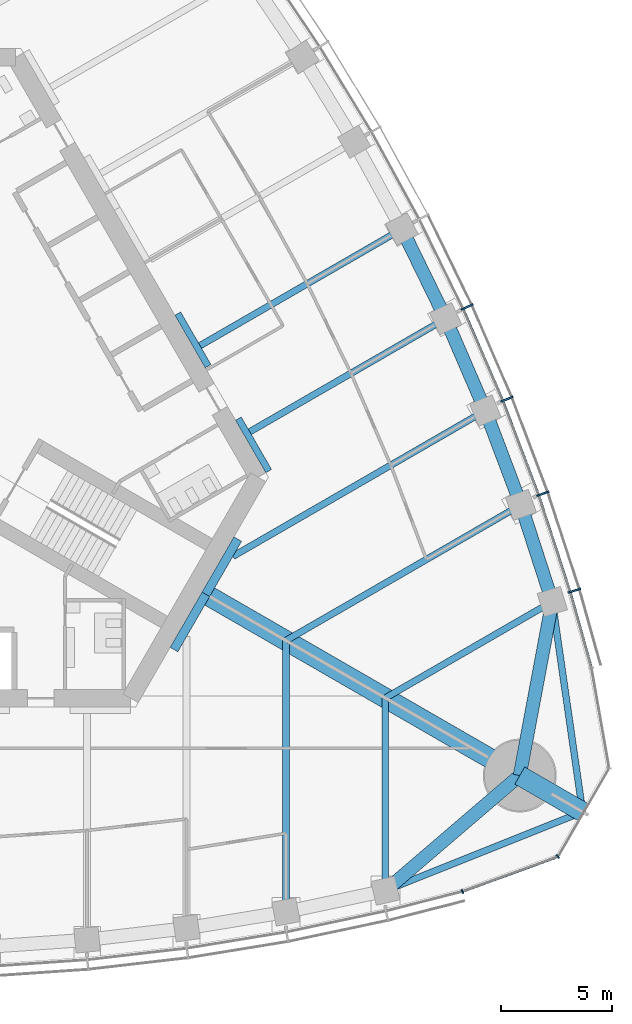
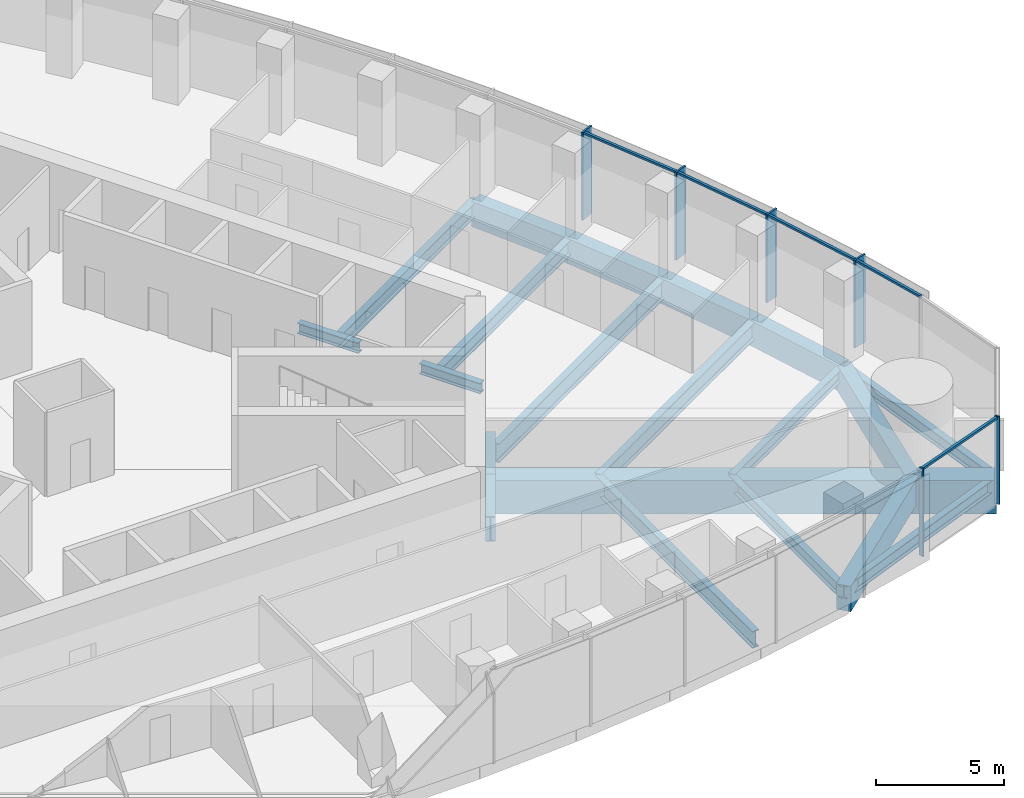
# One storey, part 4 of 20: 21 beams, 11 members, 2 elements without a shape of their own.
"""IFC4 building model written with IfcOpenShell, lengths in metres."""

from ifc_helpers import new_model, si_unit, direction, frame, origin, origin_2d, place, context, subcontext, project, spatial, rectangle, i_section, extrude, material, material_profile, profile_set, type_object, element, aggregate, save


model = new_model("IFC4")

# Units and contexts
model_context = context("Model", 3, precision=1e-05, world=origin(), true_north=direction((0.0, 1.0)))
body_context = subcontext(model_context, "Body", "Model", "MODEL_VIEW")
ifc_project = project(units=[si_unit("LENGTHUNIT", "METRE"), si_unit("AREAUNIT", "SQUARE_METRE"), si_unit("VOLUMEUNIT", "CUBIC_METRE"), si_unit("PLANEANGLEUNIT", "RADIAN"), si_unit("MASSUNIT", "GRAM", prefix="KILO")], contexts=[model_context])

# Site, building, storey
site_placement = place(None, origin())
site = spatial("IfcSite", under=ifc_project, at=site_placement, CompositionType="ELEMENT")
building_placement = place(site_placement, origin())
building = spatial("IfcBuilding", under=site, at=building_placement, Name="Trefoil Bronze Tower", CompositionType="ELEMENT")
storey_placement = place(building_placement, frame((0.0, 0.0, 214.89990234375)))
storey = spatial("IfcBuildingStorey", under=building, at=storey_placement, Name="L49", CompositionType="ELEMENT", Elevation=214.89990234375)

# Curtain wall, members
ifc_material_1 = material(Name="Tinted solar-control glass", Category="glass")
curtain_wall_type_1 = type_object("IfcCurtainWallType", Name="Bronze office curtain wall", PredefinedType="USERDEFINED", material=ifc_material_1)
curtain_wall_1_placement = place(storey_placement, origin())
curtain_wall_1 = element("IfcCurtainWall", 1, at=curtain_wall_1_placement, inside=storey, type_object=curtain_wall_type_1, Name="CW-A L49 F2", ObjectType="CURTAIN WALL", PredefinedType="USERDEFINED")
ifc_material_2 = material(Name="Bronze-finish aluminium", Category="aluminium")
ifc_material_profile_1 = material_profile(ifc_material_2, rectangle(XDim=0.60009765625, YDim=0.080078125, at=origin_2d()), Name="CW-A mullion")
ifc_profile_set_1 = profile_set([ifc_material_profile_1], Name="Bronze-finish aluminium")
member_type_1 = type_object("IfcMemberType", Name="Bronze office curtain wall mullion", PredefinedType="MULLION", material=ifc_profile_set_1)
member_1_placement = place(storey_placement, frame((31.05029296875, -8.132568359375, 0.0), z_axis=(0.0, 0.0, 1.0), x_axis=(-0.95694224323, -0.290278389002, 0.0)))
member_1 = element("IfcMember", 2, at=member_1_placement, type_object=member_type_1, Name="CW-A L49 F2 mullion 2", PredefinedType="MULLION", context=body_context, shape_type="SweptSolid", body=[
    extrude(rectangle(XDim=0.60009765625, YDim=0.080078125, at=origin_2d()), origin(), (0.0, 0.0, 1.0), 4.18017578125),
])
member_2_placement = place(storey_placement, frame((29.619873046875, -3.747314453125, 0.0), z_axis=(0.0, 0.0, 1.0), x_axis=(-0.943180077746, -0.332282020191, 0.0)))
member_2 = element("IfcMember", 3, at=member_2_placement, type_object=member_type_1, Name="CW-A L49 F2 mullion 3", PredefinedType="MULLION", context=body_context, shape_type="SweptSolid", body=[
    extrude(rectangle(XDim=0.60009765625, YDim=0.080078125, at=origin_2d()), origin(), (0.0, 0.0, 1.0), 4.18017578125),
])
member_3_placement = place(storey_placement, frame((27.999755859375, 0.529541015625, 0.0), z_axis=(0.0, 0.0, 1.0), x_axis=(-0.926689348282, -0.375828221106, 0.0)))
member_3 = element("IfcMember", 4, at=member_3_placement, type_object=member_type_1, Name="CW-A L49 F2 mullion 4", PredefinedType="MULLION", context=body_context, shape_type="SweptSolid", body=[
    extrude(rectangle(XDim=0.60009765625, YDim=0.080078125, at=origin_2d()), origin(), (0.0, 0.0, 1.0), 4.18017578125),
])
member_4_placement = place(storey_placement, frame((26.19482421875, 4.699462890625, 0.0), z_axis=(0.0, 0.0, 1.0), x_axis=(-0.908315380354, -0.418285990457, 0.0)))
member_4 = element("IfcMember", 5, at=member_4_placement, type_object=member_type_1, Name="CW-A L49 F2 mullion 5", PredefinedType="MULLION", context=body_context, shape_type="SweptSolid", body=[
    extrude(rectangle(XDim=0.60009765625, YDim=0.080078125, at=origin_2d()), origin(), (0.0, 0.0, 1.0), 4.18017578125),
])
ifc_material_3 = material(Name="Bronze-finish aluminium", Category="aluminium")
ifc_material_profile_2 = material_profile(ifc_material_3, rectangle(XDim=0.1201171875, YDim=0.10009765625, at=origin_2d()), Name="CW-A transom")
ifc_profile_set_2 = profile_set([ifc_material_profile_2], Name="Bronze-finish aluminium")
member_type_2 = type_object("IfcMemberType", Name="Bronze office curtain wall transom", PredefinedType="USERDEFINED", material=ifc_profile_set_2)
member_5_placement = place(storey_placement, frame((31.81201171875, -11.585205078125, 4.130126953125), z_axis=(-0.270284880437, 0.962780392097, 0.0), x_axis=(-0.962780392097, -0.270284880437, 0.0)))
member_5 = element("IfcMember", 6, at=member_5_placement, type_object=member_type_2, Name="CW-A L49 F2 transom 1", ObjectType="TRANSOM", PredefinedType="USERDEFINED", context=body_context, shape_type="SweptSolid", body=[
    extrude(rectangle(XDim=0.1201171875, YDim=0.10009765625, at=origin_2d()), origin(), (0.0, 0.0, 1.0), 3.48388671875),
])
member_6_placement = place(storey_placement, frame((30.845947265625, -8.150634765625, 4.130126953125), z_axis=(-0.310127806788, 0.950694874004, 0.0), x_axis=(-0.950694874004, -0.310127806788, 0.0)))
member_6 = element("IfcMember", 7, at=member_6_placement, type_object=member_type_2, Name="CW-A L49 F2 transom 2", ObjectType="TRANSOM", PredefinedType="USERDEFINED", context=body_context, shape_type="SweptSolid", body=[
    extrude(rectangle(XDim=0.1201171875, YDim=0.10009765625, at=origin_2d()), origin(), (0.0, 0.0, 1.0), 4.51953125),
])
member_7_placement = place(storey_placement, frame((29.416259765625, -3.774169921875, 4.130126953125), z_axis=(-0.354263170896, 0.935145767112, 0.0), x_axis=(-0.935145767112, -0.354263170896, 0.0)))
member_7 = element("IfcMember", 8, at=member_7_placement, type_object=member_type_2, Name="CW-A L49 F2 transom 3", ObjectType="TRANSOM", PredefinedType="USERDEFINED", context=body_context, shape_type="SweptSolid", body=[
    extrude(rectangle(XDim=0.1201171875, YDim=0.10009765625, at=origin_2d()), origin(), (0.0, 0.0, 1.0), 4.4794921875),
])
member_8_placement = place(storey_placement, frame((27.797607421875, 0.4931640625, 4.130126953125), z_axis=(-0.397220936772, 0.917723012346, 0.0), x_axis=(-0.917723012346, -0.397220936772, 0.0)))
member_8 = element("IfcMember", 9, at=member_8_placement, type_object=member_type_2, Name="CW-A L49 F2 transom 4", ObjectType="TRANSOM", PredefinedType="USERDEFINED", context=body_context, shape_type="SweptSolid", body=[
    extrude(rectangle(XDim=0.1201171875, YDim=0.10009765625, at=origin_2d()), origin(), (0.0, 0.0, 1.0), 4.449951171875),
])
aggregate(curtain_wall_1, [member_1, member_2, member_3, member_4, member_5, member_6, member_7, member_8])

ifc_material_4 = material(Name="Tinted solar-control glass", Category="glass")
curtain_wall_type_2 = type_object("IfcCurtainWallType", Name="Bronze rounded corner curtain wall", PredefinedType="USERDEFINED", material=ifc_material_4)
curtain_wall_2_placement = place(storey_placement, origin())
curtain_wall_2 = element("IfcCurtainWall", 10, at=curtain_wall_2_placement, inside=storey, type_object=curtain_wall_type_2, Name="CW-B L49 K1", ObjectType="CURTAIN WALL", PredefinedType="USERDEFINED")
ifc_material_5 = material(Name="Bronze-finish aluminium", Category="aluminium")
ifc_material_profile_3 = material_profile(ifc_material_5, rectangle(XDim=0.199951171875, YDim=0.06005859375, at=origin_2d()), Name="CW-B mullion")
ifc_profile_set_3 = profile_set([ifc_material_profile_3], Name="Bronze-finish aluminium")
member_type_3 = type_object("IfcMemberType", Name="Bronze rounded corner curtain wall mullion", PredefinedType="MULLION", material=ifc_profile_set_3)
member_9_placement = place(storey_placement, frame((25.9873046875, -21.74462890625, 0.0), z_axis=(0.0, 0.0, 1.0), x_axis=(-0.342020143326, 0.939692620786, 0.0)))
member_9 = element("IfcMember", 11, at=member_9_placement, type_object=member_type_3, Name="CW-B L49 K1 mullion 1", PredefinedType="MULLION", context=body_context, shape_type="SweptSolid", body=[
    extrude(rectangle(XDim=0.199951171875, YDim=0.06005859375, at=origin_2d()), origin(), (0.0, 0.0, 1.0), 4.18017578125),
])
member_10_placement = place(storey_placement, frame((30.302490234375, -20.16748046875, 0.0), z_axis=(0.0, 0.0, 1.0), x_axis=(-0.642787609687, 0.766044443119, 0.0)))
member_10 = element("IfcMember", 12, at=member_10_placement, type_object=member_type_3, Name="CW-B L49 K1 mullion 2", PredefinedType="MULLION", context=body_context, shape_type="SweptSolid", body=[
    extrude(rectangle(XDim=0.199951171875, YDim=0.06005859375, at=origin_2d()), origin(), (0.0, 0.0, 1.0), 4.18017578125),
])
ifc_material_6 = material(Name="Bronze-finish aluminium", Category="aluminium")
ifc_material_profile_4 = material_profile(ifc_material_6, rectangle(XDim=0.1201171875, YDim=0.10009765625, at=origin_2d()), Name="CW-B transom")
ifc_profile_set_4 = profile_set([ifc_material_profile_4], Name="Bronze-finish aluminium")
member_type_4 = type_object("IfcMemberType", Name="Bronze rounded corner curtain wall transom", PredefinedType="USERDEFINED", material=ifc_profile_set_4)
member_11_placement = place(storey_placement, frame((26.015380859375, -21.734375, 4.130126953125), z_axis=(0.939680910753, 0.342052314664, 0.0), x_axis=(-0.342052314664, 0.939680910753, 0.0)))
member_11 = element("IfcMember", 13, at=member_11_placement, type_object=member_type_4, Name="CW-B L49 K1 transom 1", ObjectType="TRANSOM", PredefinedType="USERDEFINED", context=body_context, shape_type="SweptSolid", body=[
    extrude(rectangle(XDim=0.1201171875, YDim=0.10009765625, at=origin_2d()), origin(), (0.0, 0.0, 1.0), 4.500244140625),
])
aggregate(curtain_wall_2, [member_9, member_10, member_11])

# Beams
ifc_material_7 = material(Name="Steel C355", Category="steel")
ifc_material_profile_5 = material_profile(ifc_material_7, i_section(OverallWidth=0.300048828125, OverallDepth=0.5, WebThickness=0.014404296875, FlangeThickness=0.028076171875, FilletRadius=0.027099609375, at=origin_2d()), Name="HEB 500")
ifc_profile_set_5 = profile_set([ifc_material_profile_5], Name="Steel C355")
beam_type_1 = type_object("IfcBeamType", Name="Core seat beam HEB 500", PredefinedType="BEAM", material=ifc_profile_set_5)
for number, where, z_axis, x_axis, name in (
    (14, (17.219482421875, -2.72509765625, -0.449951171875), (-0.500035825175, 0.866004719122, 0.0), (-0.866004719122, -0.500035825175, 0.0), "Core seat beam F2/-2 L49"),
    (15, (14.47705078125, 2.02490234375, -0.449951171875), (-0.499969057507, 0.866043267704, 0.0), (-0.866043267704, -0.499969057507, 0.0), "Core seat beam F2/-1 L49"),
):
    element("IfcBeam", number, at=place(storey_placement, frame(where, z_axis=z_axis, x_axis=x_axis)), inside=storey, type_object=beam_type_1, Name=name, PredefinedType="BEAM", context=body_context, shape_type="SweptSolid", body=[
        extrude(i_section(OverallWidth=0.300048828125, OverallDepth=0.5, WebThickness=0.014404296875, FlangeThickness=0.028076171875, FilletRadius=0.027099609375, at=origin_2d()), origin(), (0.0, 0.0, 1.0), 2.742431640625),
    ])
ifc_material_8 = material(Name="Steel C355", Category="steel")
ifc_material_profile_6 = material_profile(ifc_material_8, i_section(OverallWidth=0.39990234375, OverallDepth=1.199951171875, WebThickness=0.02001953125, FlangeThickness=0.0400390625, FilletRadius=0.010009765625, at=origin_2d()), Name="WPG 1200")
ifc_profile_set_6 = profile_set([ifc_material_profile_6], Name="Steel C355")
beam_type_2 = type_object("IfcBeamType", Name="Core seat beam WPG 1200", PredefinedType="BEAM", material=ifc_profile_set_6)
for number, where, z_axis, x_axis, name in (
    (16, (12.9326171875, -10.800048828125, -0.7998046875), (0.499995765644, 0.866027848477, 0.0), (-0.866027848477, 0.499995765644, 0.0), "Core seat beam F1/+3 L49"),
    (17, (14.3759765625, -8.300048828125, -0.7998046875), (0.499995765644, 0.866027848477, 0.0), (-0.866027848477, 0.499995765644, 0.0), "Core seat beam F2/-3 L49"),
):
    element("IfcBeam", number, at=place(storey_placement, frame(where, z_axis=z_axis, x_axis=x_axis)), inside=storey, type_object=beam_type_2, Name=name, PredefinedType="BEAM", context=body_context, shape_type="SweptSolid", body=[
        extrude(i_section(OverallWidth=0.39990234375, OverallDepth=1.199951171875, WebThickness=0.02001953125, FlangeThickness=0.0400390625, FilletRadius=0.010009765625, at=origin_2d()), origin(), (0.0, 0.0, 1.0), 2.88671875),
    ])
ifc_material_9 = material(Name="Concrete B80", Category="concrete")
ifc_material_profile_7 = material_profile(ifc_material_9, rectangle(XDim=0.89990234375, YDim=1.60009765625, at=origin_2d()), Name="RC 900x1600")
ifc_profile_set_7 = profile_set([ifc_material_profile_7], Name="Concrete B80")
beam_type_3 = type_object("IfcBeamType", Name="Corner cantilever RC 900x1600", PredefinedType="BEAM", material=ifc_profile_set_7)
beam_1_placement = place(storey_placement, frame((28.578857421875, -16.5, -1.0), z_axis=(0.866016004958, -0.500016278891, 0.0), x_axis=(0.500016278891, 0.866016004958, 0.0)))
element("IfcBeam", 18, at=beam_1_placement, inside=storey, type_object=beam_type_3, Name="Corner cantilever K1 L49", PredefinedType="BEAM", context=body_context, shape_type="SweptSolid", body=[
    extrude(rectangle(XDim=0.89990234375, YDim=1.60009765625, at=origin_2d()), origin(), (0.0, 0.0, 1.0), 3.28466796875),
])
ifc_material_10 = material(Name="Steel C355", Category="steel")
ifc_material_profile_8 = material_profile(ifc_material_10, i_section(OverallWidth=0.300048828125, OverallDepth=0.60009765625, WebThickness=0.015380859375, FlangeThickness=0.030029296875, FilletRadius=0.027099609375, at=origin_2d()), Name="HEB 600")
ifc_profile_set_8 = profile_set([ifc_material_profile_8], Name="Steel C355")
beam_type_4 = type_object("IfcBeamType", Name="Corner edge beam HEB 600", PredefinedType="BEAM", material=ifc_profile_set_8)
for number, where, z_axis, x_axis, name in (
    (19, (22.5, -21.71044921875, -0.5), (0.92852048463, 0.371281173266, 0.0), (-0.371281173266, 0.92852048463, 0.0), "Corner edge beam F1A L49"),
    (20, (30.052001953125, -8.63037109375, -0.5), (0.142694489722, -0.989766781925, 0.0), (0.989766781925, 0.142694489722, 0.0), "Corner edge beam F2B L49"),
):
    element("IfcBeam", number, at=place(storey_placement, frame(where, z_axis=z_axis, x_axis=x_axis)), inside=storey, type_object=beam_type_4, Name=name, PredefinedType="BEAM", context=body_context, shape_type="SweptSolid", body=[
        extrude(i_section(OverallWidth=0.300048828125, OverallDepth=0.60009765625, WebThickness=0.015380859375, FlangeThickness=0.030029296875, FilletRadius=0.027099609375, at=origin_2d()), origin(), (0.0, 0.0, 1.0), 9.6103515625),
    ])
ifc_material_11 = material(Name="Concrete B80", Category="concrete")
ifc_material_profile_9 = material_profile(ifc_material_11, rectangle(XDim=0.89990234375, YDim=1.60009765625, at=origin_2d()), Name="RC 900x1600")
ifc_profile_set_9 = profile_set([ifc_material_profile_9], Name="Concrete B80")
beam_type_5 = type_object("IfcBeamType", Name="Corner girder RC 900x1600", PredefinedType="BEAM", material=ifc_profile_set_9)
beam_2_placement = place(storey_placement, frame((14.202880859375, -8.199951171875, -1.0), z_axis=(0.866023450265, -0.500003383579, 0.0), x_axis=(0.500003383579, 0.866023450265, 0.0)))
element("IfcBeam", 21, at=beam_2_placement, inside=storey, type_object=beam_type_5, Name="Corner girder K1 L49", PredefinedType="BEAM", context=body_context, shape_type="SweptSolid", body=[
    extrude(rectangle(XDim=0.89990234375, YDim=1.60009765625, at=origin_2d()), origin(), (0.0, 0.0, 1.0), 16.60009765625),
])
ifc_material_12 = material(Name="Concrete B80", Category="concrete")
ifc_material_profile_10 = material_profile(ifc_material_12, rectangle(XDim=0.60009765625, YDim=1.199951171875, at=origin_2d()), Name="RC 600x1200")
ifc_profile_set_10 = profile_set([ifc_material_profile_10], Name="Concrete B80")
beam_type_6 = type_object("IfcBeamType", Name="End spandrel beam RC 600x1200", PredefinedType="SPANDREL", material=ifc_profile_set_10)
for number, where, z_axis, x_axis, name in (
    (22, (22.5, -21.71044921875, -0.7998046875), (0.759256602365, 0.650791373456, 0.0), (-0.650791373456, 0.759256602365, 0.0), "Spandrel F1.12 L49"),
    (23, (28.578857421875, -16.5, -0.7998046875), (0.18399763073, 0.982926686933, 0.0), (-0.982926686933, 0.18399763073, 0.0), "Spandrel F2.1 L49"),
):
    element("IfcBeam", number, at=place(storey_placement, frame(where, z_axis=z_axis, x_axis=x_axis)), inside=storey, type_object=beam_type_6, Name=name, PredefinedType="SPANDREL", context=body_context, shape_type="SweptSolid", body=[
        extrude(rectangle(XDim=0.60009765625, YDim=1.199951171875, at=origin_2d()), origin(), (0.0, 0.0, 1.0), 8.00634765625),
    ])
ifc_material_13 = material(Name="Steel C355", Category="steel")
ifc_material_profile_11 = material_profile(ifc_material_13, i_section(OverallWidth=0.300048828125, OverallDepth=0.590087890625, WebThickness=0.012939453125, FlangeThickness=0.02490234375, FilletRadius=0.027099609375, at=origin_2d()), Name="HEA 600")
ifc_profile_set_11 = profile_set([ifc_material_profile_11], Name="Steel C355")
beam_type_7 = type_object("IfcBeamType", Name="Floor beam HEA 600", PredefinedType="BEAM", material=ifc_profile_set_11)
beam_3_placement = place(storey_placement, frame((22.5, -21.71044921875, -0.494873046875), z_axis=(0.0, 1.0, 0.0), x_axis=(-1.0, 0.0, 0.0)))
element("IfcBeam", 24, at=beam_3_placement, inside=storey, type_object=beam_type_7, Name="Floor beam F1/+5 L49", PredefinedType="BEAM", context=body_context, shape_type="SweptSolid", body=[
    extrude(i_section(OverallWidth=0.300048828125, OverallDepth=0.590087890625, WebThickness=0.012939453125, FlangeThickness=0.02490234375, FilletRadius=0.027099609375, at=origin_2d()), origin(), (0.0, 0.0, 1.0), 8.719970703125),
])
beam_4_placement = place(storey_placement, frame((30.052001953125, -8.63037109375, -0.494873046875), z_axis=(-0.866027535932, -0.499996306993, 0.0), x_axis=(0.499996306993, -0.866027535932, 0.0)))
element("IfcBeam", 25, at=beam_4_placement, inside=storey, type_object=beam_type_7, Name="Floor beam F2/-5 L49", PredefinedType="BEAM", context=body_context, shape_type="SweptSolid", body=[
    extrude(i_section(OverallWidth=0.300048828125, OverallDepth=0.590087890625, WebThickness=0.012939453125, FlangeThickness=0.02490234375, FilletRadius=0.027099609375, at=origin_2d()), origin(), (0.0, 0.0, 1.0), 8.72021484375),
])
ifc_material_14 = material(Name="Steel C355", Category="steel")
ifc_material_profile_12 = material_profile(ifc_material_14, i_section(OverallWidth=0.300048828125, OverallDepth=0.699951171875, WebThickness=0.01708984375, FlangeThickness=0.031982421875, FilletRadius=0.027099609375, at=origin_2d()), Name="HEB 700")
ifc_profile_set_12 = profile_set([ifc_material_profile_12], Name="Steel C355")
beam_type_8 = type_object("IfcBeamType", Name="Floor beam HEB 700", PredefinedType="BEAM", material=ifc_profile_set_12)
beam_5_placement = place(storey_placement, frame((25.2265625, 4.17236328125, -0.5498046875), z_axis=(-0.866017525653, -0.500013645076, 0.0), x_axis=(0.500013645076, -0.866017525653, 0.0)))
element("IfcBeam", 26, at=beam_5_placement, inside=storey, type_object=beam_type_8, Name="Floor beam F2/-2 L49", PredefinedType="BEAM", context=body_context, shape_type="SweptSolid", body=[
    extrude(i_section(OverallWidth=0.300048828125, OverallDepth=0.699951171875, WebThickness=0.01708984375, FlangeThickness=0.031982421875, FilletRadius=0.027099609375, at=origin_2d()), origin(), (0.0, 0.0, 1.0), 10.233154296875),
])
beam_6_placement = place(storey_placement, frame((23.248046875, 8.22607421875, -0.5498046875), z_axis=(-0.866027918957, -0.499995643569, 0.0), x_axis=(0.499995643569, -0.866027918957, 0.0)))
element("IfcBeam", 27, at=beam_6_placement, inside=storey, type_object=beam_type_8, Name="Floor beam F2/-1 L49", PredefinedType="BEAM", context=body_context, shape_type="SweptSolid", body=[
    extrude(i_section(OverallWidth=0.300048828125, OverallDepth=0.699951171875, WebThickness=0.01708984375, FlangeThickness=0.031982421875, FilletRadius=0.027099609375, at=origin_2d()), origin(), (0.0, 0.0, 1.0), 10.54638671875),
])
ifc_material_15 = material(Name="Steel C355", Category="steel")
ifc_material_profile_13 = material_profile(ifc_material_15, i_section(OverallWidth=0.300048828125, OverallDepth=0.800048828125, WebThickness=0.017578125, FlangeThickness=0.032958984375, FilletRadius=0.030029296875, at=origin_2d()), Name="HEB 800")
ifc_profile_set_13 = profile_set([ifc_material_profile_13], Name="Steel C355")
beam_type_9 = type_object("IfcBeamType", Name="Floor beam HEB 800", PredefinedType="BEAM", material=ifc_profile_set_13)
beam_7_placement = place(storey_placement, frame((18.0, -22.6689453125, -0.599853515625), z_axis=(0.0, 1.0, 0.0), x_axis=(-1.0, 0.0, 0.0)))
element("IfcBeam", 28, at=beam_7_placement, inside=storey, type_object=beam_type_9, Name="Floor beam F1/+4 L49", PredefinedType="BEAM", context=body_context, shape_type="SweptSolid", body=[
    extrude(i_section(OverallWidth=0.300048828125, OverallDepth=0.800048828125, WebThickness=0.017578125, FlangeThickness=0.032958984375, FilletRadius=0.030029296875, at=origin_2d()), origin(), (0.0, 0.0, 1.0), 12.276611328125),
])
beam_8_placement = place(storey_placement, frame((28.632080078125, -4.25390625, -0.599853515625), z_axis=(-0.866025635187, -0.499999599199, 0.0), x_axis=(0.499999599199, -0.866025635187, 0.0)))
element("IfcBeam", 29, at=beam_8_placement, inside=storey, type_object=beam_type_9, Name="Floor beam F2/-4 L49", PredefinedType="BEAM", context=body_context, shape_type="SweptSolid", body=[
    extrude(i_section(OverallWidth=0.300048828125, OverallDepth=0.800048828125, WebThickness=0.017578125, FlangeThickness=0.032958984375, FilletRadius=0.030029296875, at=origin_2d()), origin(), (0.0, 0.0, 1.0), 12.27685546875),
])
ifc_material_16 = material(Name="Steel C355", Category="steel")
ifc_material_profile_14 = material_profile(ifc_material_16, i_section(OverallWidth=0.300048828125, OverallDepth=0.89990234375, WebThickness=0.0185546875, FlangeThickness=0.034912109375, FilletRadius=0.030029296875, at=origin_2d()), Name="HEB 900")
ifc_profile_set_14 = profile_set([ifc_material_profile_14], Name="Steel C355")
beam_type_10 = type_object("IfcBeamType", Name="Floor beam HEB 900", PredefinedType="BEAM", material=ifc_profile_set_14)
beam_9_placement = place(storey_placement, frame((27.022216796875, 0.012939453125, -0.64990234375), z_axis=(-0.866020385251, -0.500008692254, 0.0), x_axis=(0.500008692254, -0.866020385251, 0.0)))
element("IfcBeam", 30, at=beam_9_placement, inside=storey, type_object=beam_type_10, Name="Floor beam F2/-3 L49", PredefinedType="BEAM", context=body_context, shape_type="SweptSolid", body=[
    extrude(i_section(OverallWidth=0.300048828125, OverallDepth=0.89990234375, WebThickness=0.0185546875, FlangeThickness=0.034912109375, FilletRadius=0.030029296875, at=origin_2d()), origin(), (0.0, 0.0, 1.0), 13.191162109375),
])
ifc_material_17 = material(Name="Concrete B80", Category="concrete")
ifc_material_profile_15 = material_profile(ifc_material_17, rectangle(XDim=0.60009765625, YDim=1.199951171875, at=origin_2d()), Name="RC 600x1200")
ifc_profile_set_15 = profile_set([ifc_material_profile_15], Name="Concrete B80")
beam_type_11 = type_object("IfcBeamType", Name="Spandrel beam RC 600x1200", PredefinedType="SPANDREL", material=ifc_profile_set_15)
beam_10_placement = place(storey_placement, frame((30.052001953125, -8.63037109375, -0.7998046875), z_axis=(-0.308608505504, 0.951189145402, 0.0), x_axis=(-0.951189145402, -0.308608505504, 0.0)))
element("IfcBeam", 31, at=beam_10_placement, inside=storey, type_object=beam_type_11, Name="Spandrel F2.2 L49", PredefinedType="SPANDREL", context=body_context, shape_type="SweptSolid", body=[
    extrude(rectangle(XDim=0.60009765625, YDim=1.199951171875, at=origin_2d()), origin(), (0.0, 0.0, 1.0), 4.60107421875),
])
beam_11_placement = place(storey_placement, frame((28.632080078125, -4.25390625, -0.7998046875), z_axis=(-0.353005969632, 0.935621069346, 0.0), x_axis=(-0.935621069346, -0.353005969632, 0.0)))
element("IfcBeam", 32, at=beam_11_placement, inside=storey, type_object=beam_type_11, Name="Spandrel F2.3 L49", PredefinedType="SPANDREL", context=body_context, shape_type="SweptSolid", body=[
    extrude(rectangle(XDim=0.60009765625, YDim=1.199951171875, at=origin_2d()), origin(), (0.0, 0.0, 1.0), 4.560546875),
])
beam_12_placement = place(storey_placement, frame((27.022216796875, 0.012939453125, -0.7998046875), z_axis=(-0.396350337164, 0.918099346602, 0.0), x_axis=(-0.918099346602, -0.396350337164, 0.0)))
element("IfcBeam", 33, at=beam_12_placement, inside=storey, type_object=beam_type_11, Name="Spandrel F2.4 L49", PredefinedType="SPANDREL", context=body_context, shape_type="SweptSolid", body=[
    extrude(rectangle(XDim=0.60009765625, YDim=1.199951171875, at=origin_2d()), origin(), (0.0, 0.0, 1.0), 4.530517578125),
])
beam_13_placement = place(storey_placement, frame((25.2265625, 4.17236328125, -0.7998046875), z_axis=(-0.438619830351, 0.898672712629, 0.0), x_axis=(-0.898672712629, -0.438619830351, 0.0)))
element("IfcBeam", 34, at=beam_13_placement, inside=storey, type_object=beam_type_11, Name="Spandrel F2.5 L49", PredefinedType="SPANDREL", context=body_context, shape_type="SweptSolid", body=[
    extrude(rectangle(XDim=0.60009765625, YDim=1.199951171875, at=origin_2d()), origin(), (0.0, 0.0, 1.0), 4.5107421875),
])

save(model, "model.ifc")
